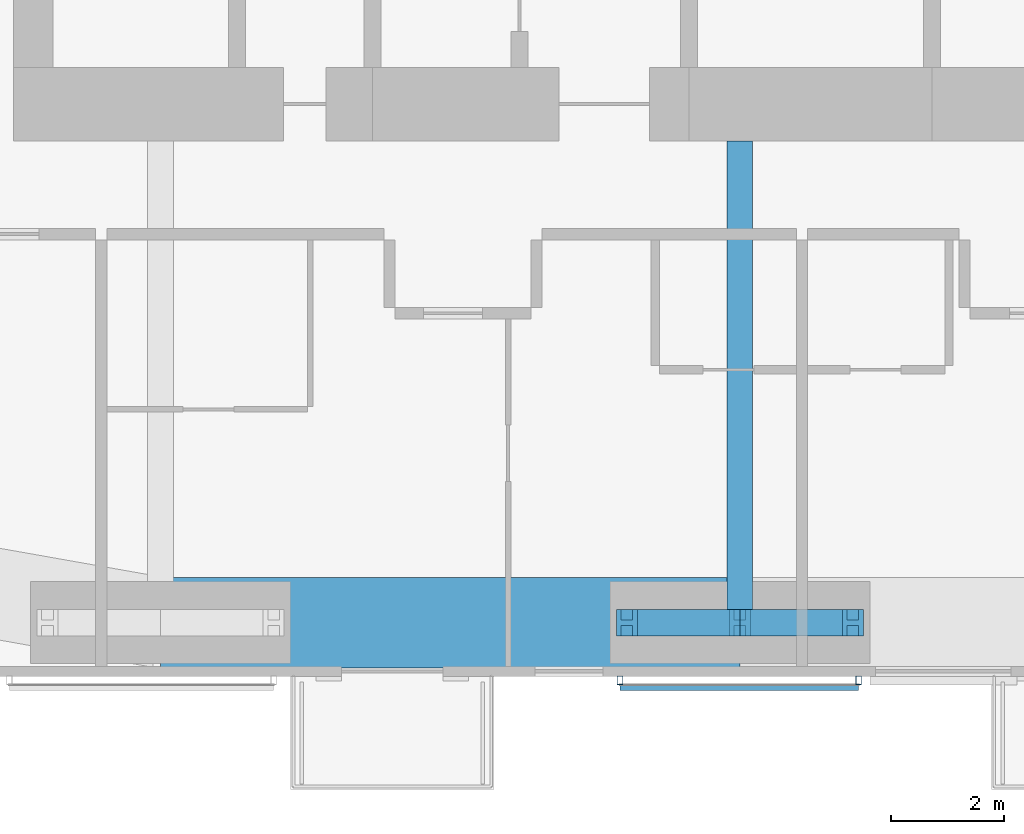
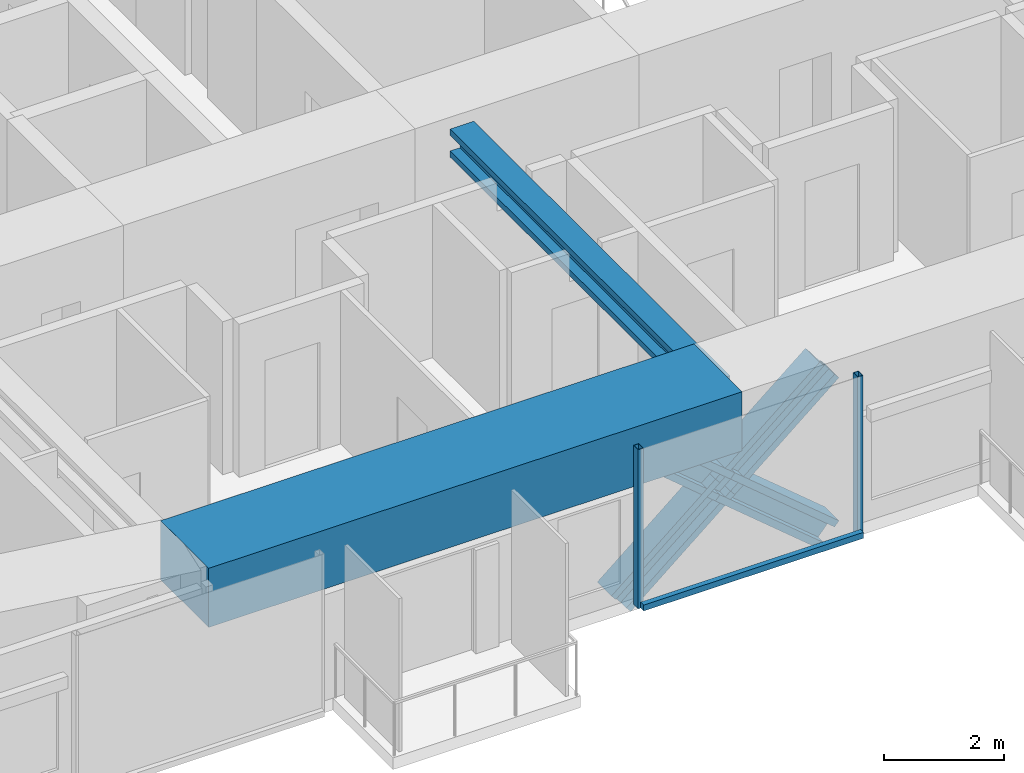
# One storey, part 3 of 23: 7 members, 2 beams, 1 element without a shape of its own.
"""IFC4 building model written with IfcOpenShell, lengths in metres."""

from ifc_helpers import new_model, si_unit, direction, frame, origin, origin_2d, place, context, subcontext, project, spatial, rectangle, hollow_rectangle, i_section, extrude, material, material_profile, profile_set, type_object, element, aggregate, save


model = new_model("IFC4")

# Units and contexts
model_context = context("Model", 3, precision=1e-05, world=origin(), true_north=direction((0.0, 1.0)))
body_context = subcontext(model_context, "Body", "Model", "MODEL_VIEW")
ifc_project = project(units=[si_unit("LENGTHUNIT", "METRE"), si_unit("AREAUNIT", "SQUARE_METRE"), si_unit("VOLUMEUNIT", "CUBIC_METRE"), si_unit("PLANEANGLEUNIT", "RADIAN"), si_unit("MASSUNIT", "GRAM", prefix="KILO")], contexts=[model_context])

# Site, building, storey
site_placement = place(None, origin())
site = spatial("IfcSite", under=ifc_project, at=site_placement, CompositionType="ELEMENT")
building_placement = place(site_placement, origin())
building = spatial("IfcBuilding", under=site, at=building_placement, Name="Jalousie Tower", CompositionType="ELEMENT")
storey_placement = place(building_placement, frame((0.0, 0.0, 171.10009765625)))
storey = spatial("IfcBuildingStorey", under=building, at=storey_placement, Name="L46", CompositionType="ELEMENT", Elevation=171.10009765625)

# Beam
ifc_material_1 = material(Name="Steel ASTM A992 Grade 50", Category="steel")
ifc_material_profile_1 = material_profile(ifc_material_1, i_section(OverallWidth=0.45458984375, OverallDepth=0.569091796875, WebThickness=0.077880859375, FlangeThickness=0.124755859375, at=origin_2d()), Name="W14X730")
ifc_profile_set_1 = profile_set([ifc_material_profile_1], Name="Steel ASTM A992 Grade 50")
beam_type_1 = type_object("IfcBeamType", Name="LEAN COLLECTOR W14X730", PredefinedType="BEAM", material=ifc_profile_set_1)
beam_1_placement = place(storey_placement, frame((32.5, 0.949951171875, 2.825439453125), z_axis=(0.0, 1.0, 0.0), x_axis=(-1.0, 0.0, 0.0)))
element("IfcBeam", 1, at=beam_1_placement, inside=storey, type_object=beam_type_1, Name="Lean collector under L47", PredefinedType="BEAM", context=body_context, shape_type="SweptSolid", body=[
    extrude(i_section(OverallWidth=0.45458984375, OverallDepth=0.569091796875, WebThickness=0.077880859375, FlangeThickness=0.124755859375, at=origin_2d()), origin(), (0.0, 0.0, 1.0), 8.525146484375),
])

# Members
ifc_material_2 = material(Name="Steel ASTM A992 Grade 50", Category="steel")
ifc_material_profile_2 = material_profile(ifc_material_2, i_section(OverallWidth=0.472412109375, OverallDepth=0.5791015625, WebThickness=0.094970703125, FlangeThickness=0.1298828125, at=origin_2d()), Name="W14X808")
ifc_profile_set_2 = profile_set([ifc_material_profile_2], Name="Steel ASTM A992 Grade 50")
member_type_1 = type_object("IfcMemberType", Name="PERIMETER BRACE W14X808", PredefinedType="BRACE", material=ifc_profile_set_2)
for number, where, z_axis, x_axis, name in (
    (2, (30.5, 0.949951171875, -0.60009765625), (0.766638753323, 0.0, 0.642078672674), (0.0, 1.0, 0.0), "Perimeter brace 03 L46 part 1"),
    (3, (32.5, 0.949951171875, 1.074951171875), (0.766638753323, 0.0, 0.642078672674), (0.0, 1.0, 0.0), "Perimeter brace 03 L46 part 2"),
    (4, (34.5, 0.949951171875, -0.60009765625), (-0.766638753323, 0.0, 0.642078672674), (0.0, -1.0, 0.0), "Perimeter brace 03 L46 part 3"),
    (5, (32.5, 0.949951171875, 1.074951171875), (-0.766638753323, 0.0, 0.642078672674), (0.0, -1.0, 0.0), "Perimeter brace 03 L46 part 4"),
):
    element("IfcMember", number, at=place(storey_placement, frame(where, z_axis=z_axis, x_axis=x_axis)), inside=storey, type_object=member_type_1, Name=name, PredefinedType="BRACE", context=body_context, shape_type="SweptSolid", body=[
        extrude(i_section(OverallWidth=0.472412109375, OverallDepth=0.5791015625, WebThickness=0.094970703125, FlangeThickness=0.1298828125, at=origin_2d()), origin(), (0.0, 0.0, 1.0), 2.60888671875),
    ])

# Beam
ifc_material_3 = material(Name="Concrete f'c 40 MPa", Category="concrete")
ifc_material_profile_3 = material_profile(ifc_material_3, rectangle(XDim=1.60009765625, YDim=1.199951171875, at=origin_2d()), Name="RC 1600x1200")
ifc_profile_set_3 = profile_set([ifc_material_profile_3], Name="Concrete f'c 40 MPa")
beam_type_2 = type_object("IfcBeamType", Name="RC BEAM 1600x1200", PredefinedType="BEAM", material=ifc_profile_set_3)
beam_2_placement = place(storey_placement, frame((22.25, 0.949951171875, 2.75), z_axis=(1.0, 0.0, 0.0), x_axis=(0.0, 1.0, 0.0)))
element("IfcBeam", 6, at=beam_2_placement, inside=storey, type_object=beam_type_2, Name="Edge band beam 02-03 under L47", PredefinedType="BEAM", context=body_context, shape_type="SweptSolid", body=[
    extrude(rectangle(XDim=1.60009765625, YDim=1.199951171875, at=origin_2d()), origin(), (0.0, 0.0, 1.0), 10.25),
])

# Curtain wall, members
ifc_material_4 = material(Name="Perforated aluminium sheet", Category="aluminium")
curtain_wall_type = type_object("IfcCurtainWallType", Name="SOLAR SCREEN SS-1", PredefinedType="USERDEFINED", material=ifc_material_4)
curtain_wall_placement = place(storey_placement, origin())
curtain_wall = element("IfcCurtainWall", 7, at=curtain_wall_placement, inside=storey, type_object=curtain_wall_type, Name="Solar screen L46", ObjectType="SOLAR SCREEN SS-1", PredefinedType="USERDEFINED")
ifc_material_5 = material(Name="Steel ASTM A500 Grade C", Category="steel")
ifc_material_profile_4 = material_profile(ifc_material_5, hollow_rectangle(XDim=0.1015625, YDim=0.15234375, WallThickness=0.00634765625, at=origin_2d()), Name="HSS6X4X1/4")
ifc_profile_set_4 = profile_set([ifc_material_profile_4], Name="Steel ASTM A500 Grade C")
member_type_2 = type_object("IfcMemberType", Name="SOLAR SCREEN SS-1 MULLION", PredefinedType="MULLION", material=ifc_profile_set_4)
member_1_placement = place(storey_placement, frame((30.37890625, -0.0712890625, -0.1201171875), z_axis=(0.0, 0.0, 1.0), x_axis=(1.0, 0.0, 0.0)))
member_1 = element("IfcMember", 8, at=member_1_placement, type_object=member_type_2, Name="SS1 post 1", PredefinedType="MULLION", context=body_context, shape_type="SweptSolid", body=[
    extrude(hollow_rectangle(XDim=0.1015625, YDim=0.15234375, WallThickness=0.00634765625, at=origin_2d()), origin(), (0.0, 0.0, 1.0), 3.22998046875),
])
member_2_placement = place(storey_placement, frame((34.60009765625, -0.0712890625, -0.1201171875), z_axis=(0.0, 0.0, 1.0), x_axis=(1.0, 0.0, 0.0)))
member_2 = element("IfcMember", 9, at=member_2_placement, type_object=member_type_2, Name="SS1 post 2", PredefinedType="MULLION", context=body_context, shape_type="SweptSolid", body=[
    extrude(hollow_rectangle(XDim=0.1015625, YDim=0.15234375, WallThickness=0.00634765625, at=origin_2d()), origin(), (0.0, 0.0, 1.0), 3.22998046875),
])
ifc_material_6 = material(Name="Extruded aluminium screen rail", Category="aluminium")
ifc_material_profile_5 = material_profile(ifc_material_6, rectangle(XDim=0.1015625, YDim=0.1201171875, at=origin_2d()), Name="RAIL 102x120")
ifc_profile_set_5 = profile_set([ifc_material_profile_5], Name="Extruded aluminium screen rail")
member_type_3 = type_object("IfcMemberType", Name="SOLAR SCREEN SS-1 TRANSOM", PredefinedType="USERDEFINED", material=ifc_profile_set_5)
member_3_placement = place(storey_placement, frame((30.37890625, -0.1982421875, -0.06005859375), z_axis=(1.0, 0.0, 0.0), x_axis=(0.0, 1.0, 0.0)))
member_3 = element("IfcMember", 10, at=member_3_placement, type_object=member_type_3, Name="SS1 rail", ObjectType="TRANSOM", PredefinedType="USERDEFINED", context=body_context, shape_type="SweptSolid", body=[
    extrude(rectangle(XDim=0.1015625, YDim=0.1201171875, at=origin_2d()), origin(), (0.0, 0.0, 1.0), 4.22119140625),
])
aggregate(curtain_wall, [member_1, member_2, member_3])

save(model, "model.ifc")
